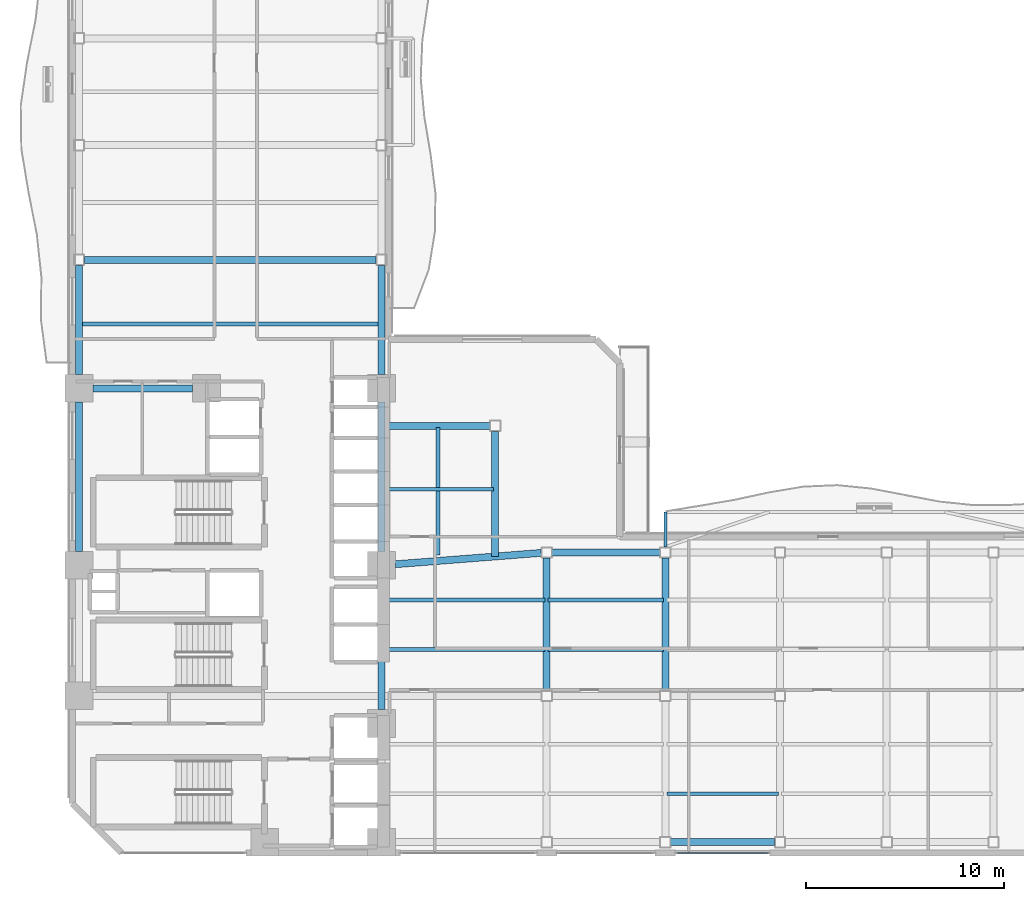
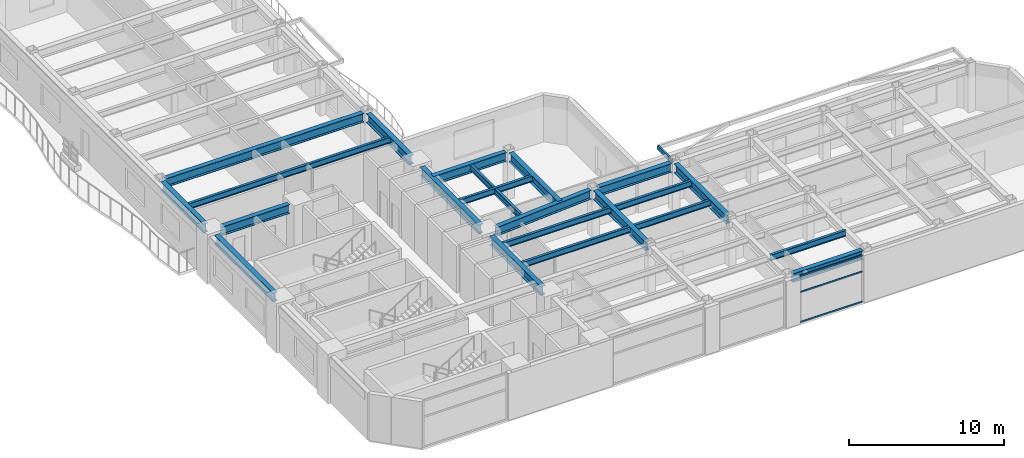
# One storey, part 6 of 17: 23 beams, 3 members, 1 element without a shape of its own.
"""IFC4 building model written with IfcOpenShell, lengths in metres."""

from ifc_helpers import new_model, si_unit, direction, frame, origin, origin_2d, place, context, subcontext, project, spatial, hollow_rectangle, i_section, extrude, material, layer, layer_set, material_profile, profile_set, type_object, element, aggregate, save


model = new_model("IFC4")

# Units and contexts
model_context = context("Model", 3, precision=1e-05, world=origin(), true_north=direction((0.0, 1.0)))
body_context = subcontext(model_context, "Body", "Model", "MODEL_VIEW")
ifc_project = project(units=[si_unit("LENGTHUNIT", "METRE"), si_unit("AREAUNIT", "SQUARE_METRE"), si_unit("VOLUMEUNIT", "CUBIC_METRE"), si_unit("PLANEANGLEUNIT", "RADIAN"), si_unit("MASSUNIT", "GRAM", prefix="KILO")], contexts=[model_context])

# Site, building, storey
site_placement = place(None, origin())
site = spatial("IfcSite", under=ifc_project, at=site_placement, CompositionType="ELEMENT")
building_placement = place(site_placement, origin())
building = spatial("IfcBuilding", under=site, at=building_placement, Name="Mawjaban Terraces University", CompositionType="ELEMENT")
storey_placement = place(building_placement, frame((0.0, 0.0, 70.0)))
storey = spatial("IfcBuildingStorey", under=building, at=storey_placement, Name="L16", CompositionType="ELEMENT", Elevation=70.0)

# Beams
ifc_material_1 = material(Name="Steel EN 10210-1 S355J2H", Category="steel")
ifc_material_profile_1 = material_profile(ifc_material_1, hollow_rectangle(XDim=0.14990234375, YDim=0.300048828125, WallThickness=0.012451171875, at=origin_2d()), Name="RHS300X150X12.5")
ifc_profile_set_1 = profile_set([ifc_material_profile_1], Name="Steel EN 10210-1 S355J2H")
beam_type_1 = type_object("IfcBeamType", Name="BalconyCantileverSpandrel_RHS", PredefinedType="SPANDREL", material=ifc_profile_set_1)
beam_1_placement = place(storey_placement, frame((52.0, 15.47509765625, 3.5400390625), z_axis=(0.0, 1.0, 0.0), x_axis=(-1.0, 0.0, 0.0)))
element("IfcBeam", 1, at=beam_1_placement, inside=storey, type_object=beam_type_1, Name="L16 Exterior Outrigger BAL-L17-N.1", PredefinedType="SPANDREL", context=body_context, shape_type="SweptSolid", body=[
    extrude(hollow_rectangle(XDim=0.14990234375, YDim=0.300048828125, WallThickness=0.012451171875, at=origin_2d()), origin(), (0.0, 0.0, 1.0), 1.77490234375),
])
ifc_material_2 = material(Name="Steel ASTM A572 Grade 50", Category="steel")
ifc_material_profile_2 = material_profile(ifc_material_2, i_section(OverallWidth=0.35498046875, OverallDepth=0.695068359375, WebThickness=0.015380859375, FlangeThickness=0.02490234375, at=origin_2d()), Name="W690X217")
ifc_profile_set_2 = profile_set([ifc_material_profile_2], Name="Steel ASTM A572 Grade 50")
beam_type_2 = type_object("IfcBeamType", Name="Beam_B_W690X217", PredefinedType="BEAM", material=ifc_profile_set_2)
beam_2_placement = place(storey_placement, frame((52.27490234375, 0.550048828125, 3.343017578125), z_axis=(1.0, 0.0, 0.0), x_axis=(0.0, 1.0, 0.0)))
element("IfcBeam", 2, at=beam_2_placement, inside=storey, type_object=beam_type_2, Name="L16 Beam BM-L16-EW-03", PredefinedType="BEAM", context=body_context, shape_type="SweptSolid", body=[
    extrude(i_section(OverallWidth=0.35498046875, OverallDepth=0.695068359375, WebThickness=0.015380859375, FlangeThickness=0.02490234375, at=origin_2d()), origin(), (0.0, 0.0, 1.0), 5.25),
])
beam_3_placement = place(storey_placement, frame((46.27490234375, 15.199951171875, 3.343017578125), z_axis=(1.0, 0.0, 0.0), x_axis=(0.0, 1.0, 0.0)))
element("IfcBeam", 3, at=beam_3_placement, inside=storey, type_object=beam_type_2, Name="L16 Beam BM-L16-EW-09", PredefinedType="BEAM", context=body_context, shape_type="SweptSolid", body=[
    extrude(i_section(OverallWidth=0.35498046875, OverallDepth=0.695068359375, WebThickness=0.015380859375, FlangeThickness=0.02490234375, at=origin_2d()), origin(), (0.0, 0.0, 1.0), 5.4501953125),
])
beam_4_placement = place(storey_placement, frame((23.050048828125, 23.5, 3.343017578125), z_axis=(1.0, 0.0, 0.0), x_axis=(0.0, 1.0, 0.0)))
element("IfcBeam", 4, at=beam_4_placement, inside=storey, type_object=beam_type_2, Name="L16 Beam BM-L16-EW-14", PredefinedType="BEAM", context=body_context, shape_type="SweptSolid", body=[
    extrude(i_section(OverallWidth=0.35498046875, OverallDepth=0.695068359375, WebThickness=0.015380859375, FlangeThickness=0.02490234375, at=origin_2d()), origin(), (0.0, 0.0, 1.0), 5.050048828125),
])
beam_5_placement = place(storey_placement, frame((22.625, 30.0, 3.343017578125), z_axis=(1.0, 0.0, 0.0), x_axis=(0.0, 1.0, 0.0)))
element("IfcBeam", 5, at=beam_5_placement, inside=storey, type_object=beam_type_2, Name="L16 Beam BM-L16-EW-15", PredefinedType="BEAM", context=body_context, shape_type="SweptSolid", body=[
    extrude(i_section(OverallWidth=0.35498046875, OverallDepth=0.695068359375, WebThickness=0.015380859375, FlangeThickness=0.02490234375, at=origin_2d()), origin(), (0.0, 0.0, 1.0), 14.75),
])
beam_6_placement = place(storey_placement, frame((22.35009765625, 15.25, 3.343017578125), z_axis=(0.0, 1.0, 0.0), x_axis=(-1.0, 0.0, 0.0)))
element("IfcBeam", 6, at=beam_6_placement, inside=storey, type_object=beam_type_2, Name="L16 Beam BM-L16-NS-02", PredefinedType="BEAM", context=body_context, shape_type="SweptSolid", body=[
    extrude(i_section(OverallWidth=0.35498046875, OverallDepth=0.695068359375, WebThickness=0.015380859375, FlangeThickness=0.02490234375, at=origin_2d()), origin(), (0.0, 0.0, 1.0), 7.550048828125),
])
beam_7_placement = place(storey_placement, frame((22.35009765625, 24.199951171875, 3.343017578125), z_axis=(0.0, 1.0, 0.0), x_axis=(-1.0, 0.0, 0.0)))
element("IfcBeam", 7, at=beam_7_placement, inside=storey, type_object=beam_type_2, Name="L16 Beam BM-L16-NS-03", PredefinedType="BEAM", context=body_context, shape_type="SweptSolid", body=[
    extrude(i_section(OverallWidth=0.35498046875, OverallDepth=0.695068359375, WebThickness=0.015380859375, FlangeThickness=0.02490234375, at=origin_2d()), origin(), (0.0, 0.0, 1.0), 5.525146484375),
])
beam_8_placement = place(storey_placement, frame((37.64990234375, 7.25, 3.343017578125), z_axis=(0.0, 1.0, 0.0), x_axis=(-1.0, 0.0, 0.0)))
element("IfcBeam", 8, at=beam_8_placement, inside=storey, type_object=beam_type_2, Name="L16 Beam BM-L16-NS-08", PredefinedType="BEAM", context=body_context, shape_type="SweptSolid", body=[
    extrude(i_section(OverallWidth=0.35498046875, OverallDepth=0.695068359375, WebThickness=0.015380859375, FlangeThickness=0.02490234375, at=origin_2d()), origin(), (0.0, 0.0, 1.0), 6.60009765625),
])
beam_9_placement = place(storey_placement, frame((37.64990234375, 15.25, 3.343017578125), z_axis=(0.0, 1.0, 0.0), x_axis=(-1.0, 0.0, 0.0)))
element("IfcBeam", 9, at=beam_9_placement, inside=storey, type_object=beam_type_2, Name="L16 Beam BM-L16-NS-09", PredefinedType="BEAM", context=body_context, shape_type="SweptSolid", body=[
    extrude(i_section(OverallWidth=0.35498046875, OverallDepth=0.695068359375, WebThickness=0.015380859375, FlangeThickness=0.02490234375, at=origin_2d()), origin(), (0.0, 0.0, 1.0), 7.550048828125),
])
beam_10_placement = place(storey_placement, frame((37.64990234375, 24.199951171875, 3.343017578125), z_axis=(0.0, 1.0, 0.0), x_axis=(-1.0, 0.0, 0.0)))
element("IfcBeam", 10, at=beam_10_placement, inside=storey, type_object=beam_type_2, Name="L16 Beam BM-L16-NS-10", PredefinedType="BEAM", context=body_context, shape_type="SweptSolid", body=[
    extrude(i_section(OverallWidth=0.35498046875, OverallDepth=0.695068359375, WebThickness=0.015380859375, FlangeThickness=0.02490234375, at=origin_2d()), origin(), (0.0, 0.0, 1.0), 5.525146484375),
])
for number, where, z_axis, x_axis, name in (
    (11, (46.0, 8.22509765625, 3.343017578125), (0.0, 1.0, 0.0), (-1.0, 0.0, 0.0), "L16 Beam BM-L16-NS-15"),
    (12, (52.0, 8.22509765625, 3.343017578125), (0.0, 1.0, 0.0), (-1.0, 0.0, 0.0), "L16 Beam BM-L16-NS-17"),
):
    element("IfcBeam", number, at=place(storey_placement, frame(where, z_axis=z_axis, x_axis=x_axis)), inside=storey, type_object=beam_type_2, Name=name, PredefinedType="BEAM", context=body_context, shape_type="SweptSolid", body=[
        extrude(i_section(OverallWidth=0.35498046875, OverallDepth=0.695068359375, WebThickness=0.015380859375, FlangeThickness=0.02490234375, at=origin_2d()), origin(), (0.0, 0.0, 1.0), 6.699951171875),
    ])
beam_11_placement = place(storey_placement, frame((38.347900390625, 14.60400390625, 3.343017578125), z_axis=(0.996977531908, 0.077690416851, 0.0), x_axis=(-0.077690416851, 0.996977531908, 0.0)))
element("IfcBeam", 13, at=beam_11_placement, inside=storey, type_object=beam_type_2, Name="L16 Beam BM-L16-CTIE", PredefinedType="BEAM", context=body_context, shape_type="SweptSolid", body=[
    extrude(i_section(OverallWidth=0.35498046875, OverallDepth=0.695068359375, WebThickness=0.015380859375, FlangeThickness=0.02490234375, at=origin_2d()), origin(), (0.0, 0.0, 1.0), 7.400634765625),
])
beam_12_placement = place(storey_placement, frame((37.679931640625, 21.60009765625, 3.343017578125), z_axis=(1.0, 0.0, 0.0), x_axis=(0.0, 1.0, 0.0)))
element("IfcBeam", 14, at=beam_12_placement, inside=storey, type_object=beam_type_2, Name="L16 Spur Tie Girder West", PredefinedType="BEAM", context=body_context, shape_type="SweptSolid", body=[
    extrude(i_section(OverallWidth=0.35498046875, OverallDepth=0.695068359375, WebThickness=0.015380859375, FlangeThickness=0.02490234375, at=origin_2d()), origin(), (0.0, 0.0, 1.0), 5.445068359375),
])
beam_13_placement = place(storey_placement, frame((43.39990234375, 15.0, 3.343017578125), z_axis=(0.0, 1.0, 0.0), x_axis=(-1.0, 0.0, 0.0)))
element("IfcBeam", 15, at=beam_13_placement, inside=storey, type_object=beam_type_2, Name="L16 Spur Tie Girder South", PredefinedType="BEAM", context=body_context, shape_type="SweptSolid", body=[
    extrude(i_section(OverallWidth=0.35498046875, OverallDepth=0.695068359375, WebThickness=0.015380859375, FlangeThickness=0.02490234375, at=origin_2d()), origin(), (0.0, 0.0, 1.0), 6.324951171875),
])
ifc_material_profile_3 = material_profile(ifc_material_2, i_section(OverallWidth=0.19189453125, OverallDepth=0.462890625, WebThickness=0.010498046875, FlangeThickness=0.017578125, at=origin_2d()), Name="W460X89")
ifc_profile_set_3 = profile_set([ifc_material_profile_3], Name="Steel ASTM A572 Grade 50")
beam_type_3 = type_object("IfcBeamType", Name="Beam_J_W460X89", PredefinedType="JOIST", material=ifc_profile_set_3)
beam_14_placement = place(storey_placement, frame((52.080078125, 3.0, 3.458984375), z_axis=(1.0, 0.0, 0.0), x_axis=(0.0, 1.0, 0.0)))
element("IfcBeam", 16, at=beam_14_placement, inside=storey, type_object=beam_type_3, Name="L16 Composite Joist JST-L16-03", PredefinedType="JOIST", context=body_context, shape_type="SweptSolid", body=[
    extrude(i_section(OverallWidth=0.19189453125, OverallDepth=0.462890625, WebThickness=0.010498046875, FlangeThickness=0.017578125, at=origin_2d()), origin(), (0.0, 0.0, 1.0), 5.639892578125),
])
beam_15_placement = place(storey_placement, frame((37.72998046875, 10.300048828125, 3.458984375), z_axis=(1.0, 0.0, 0.0), x_axis=(0.0, 1.0, 0.0)))
element("IfcBeam", 17, at=beam_15_placement, inside=storey, type_object=beam_type_3, Name="L16 Composite Joist JST-L16-11", PredefinedType="JOIST", context=body_context, shape_type="SweptSolid", body=[
    extrude(i_section(OverallWidth=0.19189453125, OverallDepth=0.462890625, WebThickness=0.010498046875, FlangeThickness=0.017578125, at=origin_2d()), origin(), (0.0, 0.0, 1.0), 8.18994140625),
])
beam_16_placement = place(storey_placement, frame((46.080078125, 10.300048828125, 3.458984375), z_axis=(1.0, 0.0, 0.0), x_axis=(0.0, 1.0, 0.0)))
element("IfcBeam", 18, at=beam_16_placement, inside=storey, type_object=beam_type_3, Name="L16 Composite Joist JST-L16-12", PredefinedType="JOIST", context=body_context, shape_type="SweptSolid", body=[
    extrude(i_section(OverallWidth=0.19189453125, OverallDepth=0.462890625, WebThickness=0.010498046875, FlangeThickness=0.017578125, at=origin_2d()), origin(), (0.0, 0.0, 1.0), 5.83984375),
])
beam_17_placement = place(storey_placement, frame((37.72998046875, 12.800048828125, 3.458984375), z_axis=(1.0, 0.0, 0.0), x_axis=(0.0, 1.0, 0.0)))
element("IfcBeam", 19, at=beam_17_placement, inside=storey, type_object=beam_type_3, Name="L16 Composite Joist JST-L16-16", PredefinedType="JOIST", context=body_context, shape_type="SweptSolid", body=[
    extrude(i_section(OverallWidth=0.19189453125, OverallDepth=0.462890625, WebThickness=0.010498046875, FlangeThickness=0.017578125, at=origin_2d()), origin(), (0.0, 0.0, 1.0), 8.18994140625),
])
beam_18_placement = place(storey_placement, frame((46.080078125, 12.800048828125, 3.458984375), z_axis=(1.0, 0.0, 0.0), x_axis=(0.0, 1.0, 0.0)))
element("IfcBeam", 20, at=beam_18_placement, inside=storey, type_object=beam_type_3, Name="L16 Composite Joist JST-L16-17", PredefinedType="JOIST", context=body_context, shape_type="SweptSolid", body=[
    extrude(i_section(OverallWidth=0.19189453125, OverallDepth=0.462890625, WebThickness=0.010498046875, FlangeThickness=0.017578125, at=origin_2d()), origin(), (0.0, 0.0, 1.0), 5.83984375),
])
beam_19_placement = place(storey_placement, frame((37.72998046875, 18.39990234375, 3.458984375), z_axis=(1.0, 0.0, 0.0), x_axis=(0.0, 1.0, 0.0)))
element("IfcBeam", 21, at=beam_19_placement, inside=storey, type_object=beam_type_3, Name="L16 Composite Joist JST-L16-21", PredefinedType="JOIST", context=body_context, shape_type="SweptSolid", body=[
    extrude(i_section(OverallWidth=0.19189453125, OverallDepth=0.462890625, WebThickness=0.010498046875, FlangeThickness=0.017578125, at=origin_2d()), origin(), (0.0, 0.0, 1.0), 5.590087890625),
])
beam_20_placement = place(storey_placement, frame((22.429931640625, 26.75, 3.458984375), z_axis=(1.0, 0.0, 0.0), x_axis=(0.0, 1.0, 0.0)))
element("IfcBeam", 22, at=beam_20_placement, inside=storey, type_object=beam_type_3, Name="L16 Composite Joist JST-L16-22", PredefinedType="JOIST", context=body_context, shape_type="SweptSolid", body=[
    extrude(i_section(OverallWidth=0.19189453125, OverallDepth=0.462890625, WebThickness=0.010498046875, FlangeThickness=0.017578125, at=origin_2d()), origin(), (0.0, 0.0, 1.0), 15.14013671875),
])
beam_21_placement = place(storey_placement, frame((40.5, 15.080078125, 3.458984375), z_axis=(0.0, 1.0, 0.0), x_axis=(-1.0, 0.0, 0.0)))
element("IfcBeam", 23, at=beam_21_placement, inside=storey, type_object=beam_type_3, Name="L16 Composite Joist JST-L16-NS-26", PredefinedType="JOIST", context=body_context, shape_type="SweptSolid", body=[
    extrude(i_section(OverallWidth=0.19189453125, OverallDepth=0.462890625, WebThickness=0.010498046875, FlangeThickness=0.017578125, at=origin_2d()), origin(), (0.0, 0.0, 1.0), 6.43994140625),
])

# Curtain wall, members
ifc_material_3 = material(Name="Anodised aluminium 6063-T6 and solar-control low-E glass", Category="aluminium")
ifc_layer = layer(ifc_material_3, 0.1650390625)
ifc_layer_set = layer_set([ifc_layer], Name="Anodised aluminium 6063-T6 and solar-control low-E glass")
curtain_wall_type = type_object("IfcCurtainWallType", Name="CWSystem_04_EastWing", PredefinedType="NOTDEFINED", material=ifc_layer_set)
curtain_wall_placement = place(storey_placement, origin())
curtain_wall = element("IfcCurtainWall", 24, at=curtain_wall_placement, inside=storey, type_object=curtain_wall_type, Name="L16 Curtain Wall CW-04 Run 1.4", PredefinedType="NOTDEFINED")
ifc_material_4 = material(Name="Anodised aluminium 6063-T6", Category="aluminium")
ifc_material_profile_4 = material_profile(ifc_material_4, hollow_rectangle(XDim=0.06005859375, YDim=0.1201171875, WallThickness=0.00341796875, at=origin_2d()), Name="ALU120X60X3.5")
ifc_profile_set_4 = profile_set([ifc_material_profile_4], Name="Anodised aluminium 6063-T6")
member_type = type_object("IfcMemberType", Name="Transom_CW-04", PredefinedType="NOTDEFINED", material=ifc_profile_set_4)
member_1_placement = place(storey_placement, frame((52.590087890625, 0.0, 0.030029296875), z_axis=(1.0, 0.0, 0.0), x_axis=(0.0, 1.0, 0.0)))
member_1 = element("IfcMember", 25, at=member_1_placement, type_object=member_type, Name="CW-04 transom 1.1", ObjectType="TRANSOM", PredefinedType="USERDEFINED", context=body_context, shape_type="SweptSolid", body=[
    extrude(hollow_rectangle(XDim=0.06005859375, YDim=0.1201171875, WallThickness=0.00341796875, at=origin_2d()), origin(), (0.0, 0.0, 1.0), 4.619873046875),
])
member_2_placement = place(storey_placement, frame((52.590087890625, 0.0, 2.39794921875), z_axis=(1.0, 0.0, 0.0), x_axis=(0.0, 1.0, 0.0)))
member_2 = element("IfcMember", 26, at=member_2_placement, type_object=member_type, Name="CW-04 transom 1.2", ObjectType="TRANSOM", PredefinedType="USERDEFINED", context=body_context, shape_type="SweptSolid", body=[
    extrude(hollow_rectangle(XDim=0.06005859375, YDim=0.1201171875, WallThickness=0.00341796875, at=origin_2d()), origin(), (0.0, 0.0, 1.0), 4.619873046875),
])
member_3_placement = place(storey_placement, frame((52.590087890625, 0.0, 3.659912109375), z_axis=(1.0, 0.0, 0.0), x_axis=(0.0, 1.0, 0.0)))
member_3 = element("IfcMember", 27, at=member_3_placement, type_object=member_type, Name="CW-04 transom 1.3", ObjectType="TRANSOM", PredefinedType="USERDEFINED", context=body_context, shape_type="SweptSolid", body=[
    extrude(hollow_rectangle(XDim=0.06005859375, YDim=0.1201171875, WallThickness=0.00341796875, at=origin_2d()), origin(), (0.0, 0.0, 1.0), 4.619873046875),
])
aggregate(curtain_wall, [member_1, member_2, member_3])

save(model, "model.ifc")
